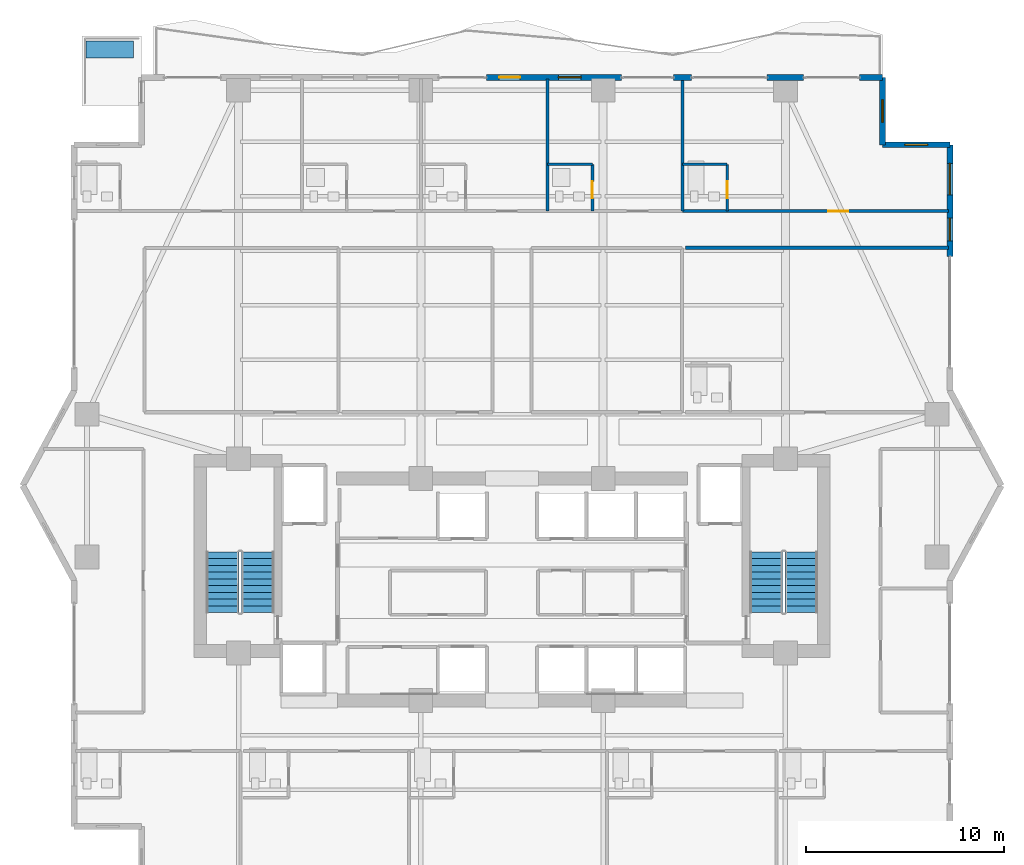
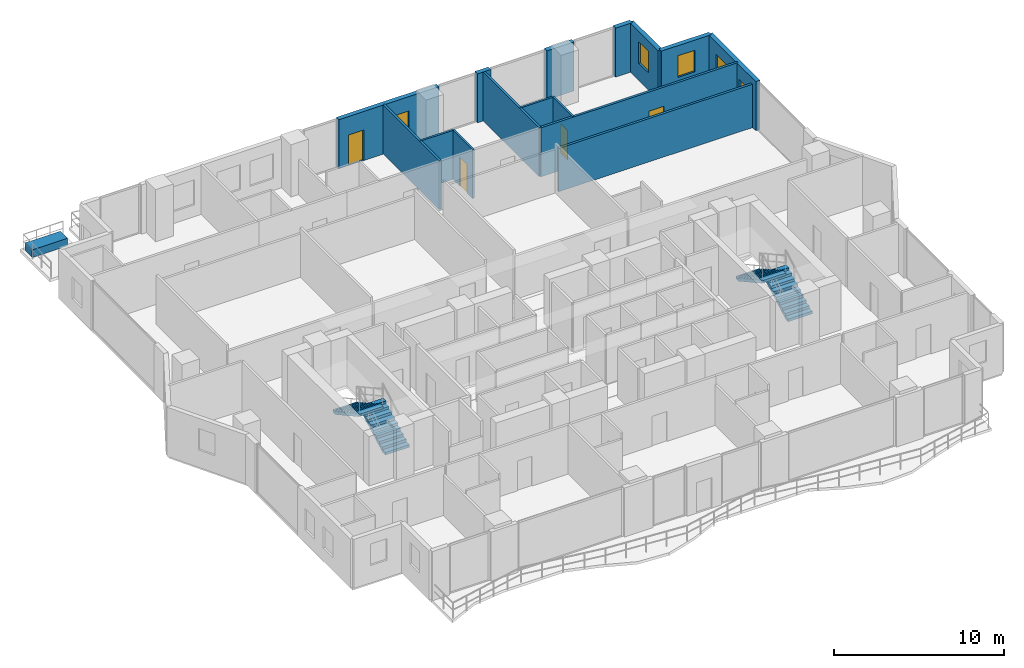
# One storey, part 28 of 32: 15 walls, 5 windows, 4 doors, 4 stair flights, 1 building element part, 9 openings, 2 elements without a shape of their own.
"""IFC4 building model written with IfcOpenShell, lengths in metres."""

from ifc_helpers import new_model, si_unit, direction, frame, frame_2d, origin, origin_2d, place, context, subcontext, project, spatial, polyline, rectangle, outline, extrude, material, layer, layer_set, type_object, element, fill, aggregate, save


model = new_model("IFC4")

# Units and contexts
model_context = context("Model", 3, precision=1e-05, world=origin(), true_north=direction((0.0, 1.0)))
body_context = subcontext(model_context, "Body", "Model", "MODEL_VIEW")
ifc_project = project(units=[si_unit("LENGTHUNIT", "METRE"), si_unit("AREAUNIT", "SQUARE_METRE"), si_unit("VOLUMEUNIT", "CUBIC_METRE"), si_unit("PLANEANGLEUNIT", "RADIAN"), si_unit("MASSUNIT", "GRAM", prefix="KILO")], contexts=[model_context])

# Site, building, storey
site_placement = place(None, origin())
site = spatial("IfcSite", under=ifc_project, at=site_placement, CompositionType="ELEMENT")
building_placement = place(site_placement, origin())
building = spatial("IfcBuilding", under=site, at=building_placement, Name="Zuhayl Quay Hotel", CompositionType="ELEMENT")
storey_placement = place(building_placement, frame((0.0, 0.0, 177.39990234375)))
storey = spatial("IfcBuildingStorey", under=building, at=storey_placement, Name="L44", CompositionType="ELEMENT", Elevation=177.39990234375)

# Wall, openings, door, window
ifc_material_1 = material(Name="Precast concrete C45/55", Category="concrete")
ifc_layer_1 = layer(ifc_material_1, 0.300048828125, Name="Precast concrete C45/55", Category="concrete")
ifc_layer_set_1 = layer_set([ifc_layer_1], Name="Precast concrete C45/55")
wall_type_1 = type_object("IfcWallType", Name="WL_EXT_300", PredefinedType="STANDARD", material=ifc_layer_set_1)
wall_1_placement = place(storey_placement, frame((-1.294921875, 33.60009765625, 0.0), z_axis=(0.0, 0.0, 1.0), x_axis=(1.0, 0.0, 0.0)))
wall_1 = element("IfcWall", 1, at=wall_1_placement, inside=storey, type_object=wall_type_1, Name="L44 Exterior Precast Wall ENV_L44_N_EW3", PredefinedType="STANDARD", context=body_context, shape_type="SweptSolid", body=[
    extrude(rectangle(XDim=6.81494140625, YDim=0.300048828125, at=frame_2d((3.407470703125, 0.0))), origin(), (0.0, 0.0, 1.0), 3.530029296875),
])
opening_1_placement = place(wall_1_placement, frame((0.64990234375, 0.0, 0.0)))
opening_1 = element("IfcOpeningElement", 2, at=opening_1_placement, cuts=wall_1, Name="Opening DG1", PredefinedType="OPENING", context=body_context, shape_type="SweptSolid", body=[
    extrude(rectangle(XDim=1.050048828125, YDim=2.199951171875, at=frame_2d((0.52490234375, 1.10009765625))), frame((0.0, 0.159912109375, 0.0), z_axis=(0.0, -1.0, 0.0), x_axis=(1.0, 0.0, 0.0)), (0.0, 0.0, 1.0), 0.320068359375),
])
opening_2_placement = place(wall_1_placement, frame((3.6298828125, 0.0, 0.949951171875)))
opening_2 = element("IfcOpeningElement", 3, at=opening_2_placement, cuts=wall_1, Name="Opening W01N", PredefinedType="OPENING", context=body_context, shape_type="SweptSolid", body=[
    extrude(rectangle(XDim=1.14990234375, YDim=1.550048828125, at=frame_2d((0.574951171875, 0.77490234375))), frame((0.0, 0.159912109375, 0.0), z_axis=(0.0, -1.0, 0.0), x_axis=(1.0, 0.0, 0.0)), (0.0, 0.0, 1.0), 0.320068359375),
])
ifc_material_2 = material(Name="Anodised Aluminium and Dark Solar Glass", Category="aluminium")
door_type_1 = type_object("IfcDoorType", Name="DR_EXT_TERR_1050", OperationType="NOTDEFINED", PredefinedType="DOOR", material=ifc_material_2)
door_1_placement = place(opening_1_placement, origin())
door_1 = element("IfcDoor", 4, at=door_1_placement, inside=storey, type_object=door_type_1, Name="L44 North Rippling Balcony Door", OperationType="SINGLE_SWING_LEFT", OverallHeight=2.199951171875, OverallWidth=1.050048828125, PredefinedType="DOOR", context=body_context, shape_type="SweptSolid", body=[
    extrude(rectangle(XDim=1.050048828125, YDim=2.199951171875, at=frame_2d((0.52490234375, 1.10009765625))), frame((0.0, 0.02490234375, 0.0), z_axis=(0.0, -1.0, 0.0), x_axis=(1.0, 0.0, 0.0)), (0.0, 0.0, 1.0), 0.050048828125),
])
fill(opening_1, door_1)
ifc_material_3 = material(Name="Dark Ceramic-Fritted Solar Glass", Category="glass")
window_type_1 = type_object("IfcWindowType", Name="WN_NOTCH_1350", PartitioningType="SINGLE_PANEL", PredefinedType="WINDOW", material=ifc_material_3)
window_1_placement = place(opening_2_placement, origin())
window_1 = element("IfcWindow", 5, at=window_1_placement, inside=storey, type_object=window_type_1, Name="L44 Operable Facade Window 3-1", OverallHeight=1.550048828125, OverallWidth=1.14990234375, PartitioningType="SINGLE_PANEL", PredefinedType="WINDOW", context=body_context, shape_type="SweptSolid", body=[
    extrude(rectangle(XDim=1.14990234375, YDim=1.550048828125, at=frame_2d((0.574951171875, 0.77490234375))), frame((0.0, 0.030029296875, 0.0), z_axis=(0.0, -1.0, 0.0), x_axis=(1.0, 0.0, 0.0)), (0.0, 0.0, 1.0), 0.06005859375),
])
fill(opening_2, window_1)

# Walls
wall_2_placement = place(storey_placement, frame((8.14990234375, 33.60009765625, 0.0), z_axis=(0.0, 0.0, 1.0), x_axis=(1.0, 0.0, 0.0)))
element("IfcWall", 6, at=wall_2_placement, inside=storey, type_object=wall_type_1, Name="L44 Exterior Precast Wall ENV_L44_N_EW4", PredefinedType="STANDARD", context=body_context, shape_type="SweptSolid", body=[
    extrude(rectangle(XDim=0.900146484375, YDim=0.300048828125, at=frame_2d((0.4501953125, 0.0))), origin(), (0.0, 0.0, 1.0), 3.530029296875),
])
wall_3_placement = place(storey_placement, frame((12.8798828125, 33.60009765625, 0.0), z_axis=(0.0, 0.0, 1.0), x_axis=(1.0, 0.0, 0.0)))
element("IfcWall", 7, at=wall_3_placement, inside=storey, type_object=wall_type_1, Name="L44 Exterior Precast Wall ENV_L44_N_EW5", PredefinedType="STANDARD", context=body_context, shape_type="SweptSolid", body=[
    extrude(rectangle(XDim=1.840087890625, YDim=0.300048828125, at=frame_2d((0.919921875, 0.0))), origin(), (0.0, 0.0, 1.0), 3.530029296875),
])
wall_4_placement = place(storey_placement, frame((17.550048828125, 33.60009765625, 0.0), z_axis=(0.0, 0.0, 1.0), x_axis=(1.0, 0.0, 0.0)))
element("IfcWall", 8, at=wall_4_placement, inside=storey, type_object=wall_type_1, Name="L44 Exterior Precast Wall ENV_L44_N_EW6", PredefinedType="STANDARD", context=body_context, shape_type="SweptSolid", body=[
    extrude(rectangle(XDim=1.14990234375, YDim=0.300048828125, at=frame_2d((0.574951171875, 0.0))), origin(), (0.0, 0.0, 1.0), 3.530029296875),
])

# Wall, opening, window
wall_5_placement = place(storey_placement, frame((18.699951171875, 33.60009765625, 0.0), z_axis=(0.0, 0.0, 1.0), x_axis=(0.0, -1.0, 0.0)))
wall_5 = element("IfcWall", 9, at=wall_5_placement, inside=storey, type_object=wall_type_1, Name="L44 Exterior Precast Wall ENV_L44_EW09", PredefinedType="STANDARD", context=body_context, shape_type="SweptSolid", body=[
    extrude(rectangle(XDim=3.400146484375, YDim=0.300048828125, at=frame_2d((1.7001953125, 0.0))), origin(), (0.0, 0.0, 1.0), 3.530029296875),
])
opening_3_placement = place(wall_5_placement, frame((1.125, 0.0, 1.25)))
opening_3 = element("IfcOpeningElement", 10, at=opening_3_placement, cuts=wall_5, Name="Opening W01N", PredefinedType="OPENING", context=body_context, shape_type="SweptSolid", body=[
    extrude(rectangle(XDim=1.14990234375, YDim=1.550048828125, at=frame_2d((0.574951171875, 0.77490234375))), frame((0.0, 0.159912109375, 0.0), z_axis=(0.0, -1.0, 0.0), x_axis=(1.0, 0.0, 0.0)), (0.0, 0.0, 1.0), 0.320068359375),
])
window_2_placement = place(opening_3_placement, origin())
window_2 = element("IfcWindow", 11, at=window_2_placement, inside=storey, type_object=window_type_1, Name="L44 Corner Notch Window 9", OverallHeight=1.550048828125, OverallWidth=1.14990234375, PartitioningType="SINGLE_PANEL", PredefinedType="WINDOW", context=body_context, shape_type="SweptSolid", body=[
    extrude(rectangle(XDim=1.14990234375, YDim=1.550048828125, at=frame_2d((0.574951171875, 0.77490234375))), frame((0.0, 0.030029296875, 0.0), z_axis=(0.0, -1.0, 0.0), x_axis=(1.0, 0.0, 0.0)), (0.0, 0.0, 1.0), 0.06005859375),
])
fill(opening_3, window_2)

wall_6_placement = place(storey_placement, frame((18.699951171875, 30.199951171875, 0.0), z_axis=(0.0, 0.0, 1.0), x_axis=(1.0, 0.0, 0.0)))
wall_6 = element("IfcWall", 12, at=wall_6_placement, inside=storey, type_object=wall_type_1, Name="L44 Exterior Precast Wall ENV_L44_EW10", PredefinedType="STANDARD", context=body_context, shape_type="SweptSolid", body=[
    extrude(rectangle(XDim=3.400146484375, YDim=0.300048828125, at=frame_2d((1.7001953125, 0.0))), origin(), (0.0, 0.0, 1.0), 3.530029296875),
])
opening_4_placement = place(wall_6_placement, frame((1.125, 0.0, 1.25)))
opening_4 = element("IfcOpeningElement", 13, at=opening_4_placement, cuts=wall_6, Name="Opening W01N", PredefinedType="OPENING", context=body_context, shape_type="SweptSolid", body=[
    extrude(rectangle(XDim=1.14990234375, YDim=1.550048828125, at=frame_2d((0.574951171875, 0.77490234375))), frame((0.0, 0.159912109375, 0.0), z_axis=(0.0, -1.0, 0.0), x_axis=(1.0, 0.0, 0.0)), (0.0, 0.0, 1.0), 0.320068359375),
])
window_3_placement = place(opening_4_placement, origin())
window_3 = element("IfcWindow", 14, at=window_3_placement, inside=storey, type_object=window_type_1, Name="L44 Corner Notch Window 10", OverallHeight=1.550048828125, OverallWidth=1.14990234375, PartitioningType="SINGLE_PANEL", PredefinedType="WINDOW", context=body_context, shape_type="SweptSolid", body=[
    extrude(rectangle(XDim=1.14990234375, YDim=1.550048828125, at=frame_2d((0.574951171875, 0.77490234375))), frame((0.0, 0.030029296875, 0.0), z_axis=(0.0, -1.0, 0.0), x_axis=(1.0, 0.0, 0.0)), (0.0, 0.0, 1.0), 0.06005859375),
])
fill(opening_4, window_3)

# Wall, openings, windows
wall_7_placement = place(storey_placement, frame((22.10009765625, 30.199951171875, 0.0), z_axis=(0.0, 0.0, 1.0), x_axis=(0.0, -1.0, 0.0)))
wall_7 = element("IfcWall", 15, at=wall_7_placement, inside=storey, type_object=wall_type_1, Name="L44 Exterior Precast Wall ENV_L44_E11_EW1", PredefinedType="STANDARD", context=body_context, shape_type="SweptSolid", body=[
    extrude(rectangle(XDim=5.64990234375, YDim=0.300048828125, at=frame_2d((2.824951171875, 0.0))), origin(), (0.0, 0.0, 1.0), 3.530029296875),
])
opening_5_placement = place(wall_7_placement, frame((0.93505859375, 0.0, 0.85009765625)))
opening_5 = element("IfcOpeningElement", 16, at=opening_5_placement, cuts=wall_7, Name="Opening W01", PredefinedType="OPENING", context=body_context, shape_type="SweptSolid", body=[
    extrude(rectangle(XDim=1.60009765625, YDim=1.800048828125, at=frame_2d((0.800048828125, 0.89990234375))), frame((0.0, 0.159912109375, 0.0), z_axis=(0.0, -1.0, 0.0), x_axis=(1.0, 0.0, 0.0)), (0.0, 0.0, 1.0), 0.320068359375),
])
opening_6_placement = place(wall_7_placement, frame((3.699951171875, 0.0, 0.949951171875)))
opening_6 = element("IfcOpeningElement", 17, at=opening_6_placement, cuts=wall_7, Name="Opening W01N", PredefinedType="OPENING", context=body_context, shape_type="SweptSolid", body=[
    extrude(rectangle(XDim=1.14990234375, YDim=1.550048828125, at=frame_2d((0.574951171875, 0.77490234375))), frame((0.0, 0.159912109375, 0.0), z_axis=(0.0, -1.0, 0.0), x_axis=(1.0, 0.0, 0.0)), (0.0, 0.0, 1.0), 0.320068359375),
])
window_4_placement = place(opening_6_placement, origin())
window_4 = element("IfcWindow", 18, at=window_4_placement, inside=storey, type_object=window_type_1, Name="L44 Operable Facade Window 1-2", OverallHeight=1.550048828125, OverallWidth=1.14990234375, PartitioningType="SINGLE_PANEL", PredefinedType="WINDOW", context=body_context, shape_type="SweptSolid", body=[
    extrude(rectangle(XDim=1.14990234375, YDim=1.550048828125, at=frame_2d((0.574951171875, 0.77490234375))), frame((0.0, 0.030029296875, 0.0), z_axis=(0.0, -1.0, 0.0), x_axis=(1.0, 0.0, 0.0)), (0.0, 0.0, 1.0), 0.06005859375),
])
fill(opening_6, window_4)
window_type_2 = type_object("IfcWindowType", Name="WN_OPERABLE_1600", PartitioningType="DOUBLE_PANEL_VERTICAL", PredefinedType="WINDOW", material=ifc_material_3)
window_5_placement = place(opening_5_placement, origin())
window_5 = element("IfcWindow", 19, at=window_5_placement, inside=storey, type_object=window_type_2, Name="L44 Operable Facade Window 1-1", OverallHeight=1.800048828125, OverallWidth=1.60009765625, PartitioningType="SINGLE_PANEL", PredefinedType="WINDOW", context=body_context, shape_type="SweptSolid", body=[
    extrude(rectangle(XDim=1.60009765625, YDim=1.800048828125, at=frame_2d((0.800048828125, 0.89990234375))), frame((0.0, 0.030029296875, 0.0), z_axis=(0.0, -1.0, 0.0), x_axis=(1.0, 0.0, 0.0)), (0.0, 0.0, 1.0), 0.06005859375),
])
fill(opening_5, window_5)

# Walls
ifc_material_4 = material(Name="Acoustic Gypsum Partition STC-58")
ifc_layer_2 = layer(ifc_material_4, 0.14990234375, Name="Acoustic Gypsum Partition STC-58")
ifc_layer_set_2 = layer_set([ifc_layer_2], Name="Acoustic Gypsum Partition STC-58")
wall_type_2 = type_object("IfcWallType", Name="WL_PART_150", PredefinedType="PARTITIONING", material=ifc_layer_set_2)
for number, where, z_axis, x_axis, name in (
    (20, (1.800048828125, 26.85009765625, 0.0), (0.0, 0.0, 1.0), (0.0, 1.0, 0.0), "L44 Partition IW_L44_NU03_E"),
    (21, (8.60009765625, 26.85009765625, 0.0), (0.0, 0.0, 1.0), (0.0, 1.0, 0.0), "L44 Partition IW_L44_NU04_E"),
):
    element("IfcWall", number, at=place(storey_placement, frame(where, z_axis=z_axis, x_axis=x_axis)), inside=storey, type_object=wall_type_2, Name=name, PredefinedType="PARTITIONING", context=body_context, shape_type="SweptSolid", body=[
        extrude(rectangle(XDim=6.669921875, YDim=0.14990234375, at=frame_2d((3.3349609375, 0.0))), origin(), (0.0, 0.0, 1.0), 3.530029296875),
    ])

# Wall, opening, door
ifc_layer_3 = layer(ifc_material_4, 0.159912109375, Name="Acoustic Gypsum Partition STC-58")
ifc_layer_set_3 = layer_set([ifc_layer_3], Name="Acoustic Gypsum Partition STC-58")
wall_type_3 = type_object("IfcWallType", Name="WL_PART_CORR_160", PredefinedType="PARTITIONING", material=ifc_layer_set_3)
wall_8_placement = place(storey_placement, frame((8.60009765625, 26.85009765625, 0.0), z_axis=(0.0, 0.0, 1.0), x_axis=(1.0, 0.0, 0.0)))
wall_8 = element("IfcWall", 22, at=wall_8_placement, inside=storey, type_object=wall_type_3, Name="L44 Partition IW_L44_NU05_COR", PredefinedType="PARTITIONING", context=body_context, shape_type="SweptSolid", body=[
    extrude(rectangle(XDim=13.43994140625, YDim=0.159912109375, at=frame_2d((6.719970703125, 0.0))), origin(), (0.0, 0.0, 1.0), 3.530029296875),
])
opening_7_placement = place(wall_8_placement, frame((7.3701171875, 0.0, 0.0)))
opening_7 = element("IfcOpeningElement", 23, at=opening_7_placement, cuts=wall_8, Name="Opening D03L", PredefinedType="OPENING", context=body_context, shape_type="SweptSolid", body=[
    extrude(rectangle(XDim=1.0, YDim=2.14990234375, at=frame_2d((0.5, 1.074951171875))), frame((0.0, 0.08984375, 0.0), z_axis=(0.0, -1.0, 0.0), x_axis=(1.0, 0.0, 0.0)), (0.0, 0.0, 1.0), 0.179931640625),
])
ifc_material_5 = material(Name="Solid Walnut Acoustic Fire Door")
door_type_2 = type_object("IfcDoorType", Name="DR_SUITE_1000", OperationType="NOTDEFINED", PredefinedType="DOOR", material=ifc_material_5)
door_2_placement = place(opening_7_placement, origin())
door_2 = element("IfcDoor", 24, at=door_2_placement, inside=storey, type_object=door_type_2, Name="L44 Panoramic Gulf Suite L44-05 Entrance Door", OperationType="SINGLE_SWING_LEFT", OverallHeight=2.14990234375, OverallWidth=1.0, PredefinedType="DOOR", context=body_context, shape_type="SweptSolid", body=[
    extrude(rectangle(XDim=1.0, YDim=2.14990234375, at=frame_2d((0.5, 1.074951171875))), frame((0.0, 0.02490234375, 0.0), z_axis=(0.0, -1.0, 0.0), x_axis=(1.0, 0.0, 0.0)), (0.0, 0.0, 1.0), 0.050048828125),
])
fill(opening_7, door_2)

# Wall
wall_9_placement = place(storey_placement, frame((8.75, 25.0, 0.0), z_axis=(0.0, 0.0, 1.0), x_axis=(1.0, 0.0, 0.0)))
element("IfcWall", 25, at=wall_9_placement, inside=storey, type_object=wall_type_3, Name="L44 Partition IW_L44_MU01_BK", PredefinedType="PARTITIONING", context=body_context, shape_type="SweptSolid", body=[
    extrude(rectangle(XDim=13.2900390625, YDim=0.159912109375, at=frame_2d((6.64501953125, 0.0))), origin(), (0.0, 0.0, 1.0), 3.1240234375),
])

# Wall, opening, door
ifc_material_6 = material(Name="Moisture-Resistant Sanitarychase Gypsum")
ifc_layer_4 = layer(ifc_material_6, 0.135009765625, Name="Moisture-Resistant Sanitarychase Gypsum")
ifc_layer_set_4 = layer_set([ifc_layer_4], Name="Moisture-Resistant Sanitarychase Gypsum")
wall_type_4 = type_object("IfcWallType", Name="WL_PART_PLUMB_150", PredefinedType="PLUMBINGWALL", material=ifc_layer_set_4)
wall_10_placement = place(storey_placement, frame((4.06005859375, 26.85009765625, 0.0), z_axis=(0.0, 0.0, 1.0), x_axis=(0.0, 1.0, 0.0)))
wall_10 = element("IfcWall", 26, at=wall_10_placement, inside=storey, type_object=wall_type_4, Name="L44 Partition IW_L44_NU04_BE", PredefinedType="PLUMBINGWALL", context=body_context, shape_type="SweptSolid", body=[
    extrude(rectangle(XDim=2.35986328125, YDim=0.135009765625, at=frame_2d((1.179931640625, 0.0))), origin(), (0.0, 0.0, 1.0), 3.530029296875),
])
opening_8_placement = place(wall_10_placement, frame((0.64990234375, 0.0, 0.0)))
opening_8 = element("IfcOpeningElement", 27, at=opening_8_placement, cuts=wall_10, Name="Opening D04", PredefinedType="OPENING", context=body_context, shape_type="SweptSolid", body=[
    extrude(rectangle(XDim=0.85009765625, YDim=2.10009765625, at=frame_2d((0.425048828125, 1.050048828125))), frame((0.0, 0.077392578125, 0.0), z_axis=(0.0, -1.0, 0.0), x_axis=(1.0, 0.0, 0.0)), (0.0, 0.0, 1.0), 0.155029296875),
])
ifc_material_7 = material(Name="Moisture-Resistant Walnut Veneer")
door_type_3 = type_object("IfcDoorType", Name="DR_BATH_850", OperationType="NOTDEFINED", PredefinedType="DOOR", material=ifc_material_7)
door_3_placement = place(opening_8_placement, origin())
door_3 = element("IfcDoor", 28, at=door_3_placement, inside=storey, type_object=door_type_3, Name="L44 Panoramic Gulf Suite L44-04 En-Suite Door", OperationType="SINGLE_SWING_RIGHT", OverallHeight=2.10009765625, OverallWidth=0.85009765625, PredefinedType="DOOR", context=body_context, shape_type="SweptSolid", body=[
    extrude(rectangle(XDim=0.85009765625, YDim=2.10009765625, at=frame_2d((0.425048828125, 1.050048828125))), frame((0.0, 0.02490234375, 0.0), z_axis=(0.0, -1.0, 0.0), x_axis=(1.0, 0.0, 0.0)), (0.0, 0.0, 1.0), 0.050048828125),
])
fill(opening_8, door_3)

wall_11_placement = place(storey_placement, frame((10.860107421875, 26.85009765625, 0.0), z_axis=(0.0, 0.0, 1.0), x_axis=(0.0, 1.0, 0.0)))
wall_11 = element("IfcWall", 29, at=wall_11_placement, inside=storey, type_object=wall_type_4, Name="L44 Partition IW_L44_NU05_BE", PredefinedType="PLUMBINGWALL", context=body_context, shape_type="SweptSolid", body=[
    extrude(rectangle(XDim=2.35986328125, YDim=0.135009765625, at=frame_2d((1.179931640625, 0.0))), origin(), (0.0, 0.0, 1.0), 3.530029296875),
])
opening_9_placement = place(wall_11_placement, frame((0.64990234375, 0.0, 0.0)))
opening_9 = element("IfcOpeningElement", 30, at=opening_9_placement, cuts=wall_11, Name="Opening D04", PredefinedType="OPENING", context=body_context, shape_type="SweptSolid", body=[
    extrude(rectangle(XDim=0.85009765625, YDim=2.10009765625, at=frame_2d((0.425048828125, 1.050048828125))), frame((0.0, 0.077392578125, 0.0), z_axis=(0.0, -1.0, 0.0), x_axis=(1.0, 0.0, 0.0)), (0.0, 0.0, 1.0), 0.155029296875),
])
door_4_placement = place(opening_9_placement, origin())
door_4 = element("IfcDoor", 31, at=door_4_placement, inside=storey, type_object=door_type_3, Name="L44 Panoramic Gulf Suite L44-05 En-Suite Door", OperationType="SINGLE_SWING_RIGHT", OverallHeight=2.10009765625, OverallWidth=0.85009765625, PredefinedType="DOOR", context=body_context, shape_type="SweptSolid", body=[
    extrude(rectangle(XDim=0.85009765625, YDim=2.10009765625, at=frame_2d((0.425048828125, 1.050048828125))), frame((0.0, 0.02490234375, 0.0), z_axis=(0.0, -1.0, 0.0), x_axis=(1.0, 0.0, 0.0)), (0.0, 0.0, 1.0), 0.050048828125),
])
fill(opening_9, door_4)

# Walls
for number, where, z_axis, x_axis, name in (
    (32, (1.800048828125, 29.2099609375, 0.0), (0.0, 0.0, 1.0), (1.0, 0.0, 0.0), "L44 Partition IW_L44_NU04_BN"),
    (33, (8.60009765625, 29.2099609375, 0.0), (0.0, 0.0, 1.0), (1.0, 0.0, 0.0), "L44 Partition IW_L44_NU05_BN"),
):
    element("IfcWall", number, at=place(storey_placement, frame(where, z_axis=z_axis, x_axis=x_axis)), inside=storey, type_object=wall_type_4, Name=name, PredefinedType="PLUMBINGWALL", context=body_context, shape_type="SweptSolid", body=[
        extrude(rectangle(XDim=2.260009765625, YDim=0.135009765625, at=frame_2d((1.1298828125, 0.0))), origin(), (0.0, 0.0, 1.0), 3.530029296875),
    ])

# Stair, stair flights
ifc_material_8 = material(Name="Concrete C45/55", Category="concrete")
stair_type = type_object("IfcStairType", Name="ST_DOGLEG_TOWER", PredefinedType="HALF_TURN_STAIR", material=ifc_material_8)
stair_1_placement = place(storey_placement, origin())
stair_1 = element("IfcStair", 34, at=stair_1_placement, inside=storey, type_object=stair_type, Name="L44 Smokeproof Exit Stair ST1", PredefinedType="HALF_TURN_STAIR")
ifc_layer_5 = layer(ifc_material_8, 0.159912109375, Name="Concrete C45/55", Category="concrete")
ifc_layer_set_5 = layer_set([ifc_layer_5], Name="Concrete C45/55")
stair_flight_type = type_object("IfcStairFlightType", Name="SF_CONC_164", PredefinedType="STRAIGHT", material=ifc_layer_set_5)
stair_flight_1_placement = place(storey_placement, frame((-12.820068359375, 6.590087890625, 0.0), z_axis=(0.0, 0.0, 1.0), x_axis=(0.0, 1.0, 0.0)))
stair_flight_1 = element("IfcStairFlight", 35, at=stair_flight_1_placement, type_object=stair_flight_type, Name="ST1 flight 1", NumberOfRisers=10, NumberOfTreads=9, PredefinedType="STRAIGHT", RiserHeight=0.1875, TreadLength=0.34, context=body_context, shape_type="SweptSolid", body=[
    extrude(outline(polyline([(0.0, 0.0), (0.0, 0.1875), (0.340087890625, 0.1875), (0.340087890625, 0.375), (0.679931640625, 0.375), (0.679931640625, 0.5625), (1.02001953125, 0.5625), (1.02001953125, 0.75), (1.360107421875, 0.75), (1.360107421875, 0.9375), (1.699951171875, 0.9375), (1.699951171875, 1.125), (2.0400390625, 1.125), (2.0400390625, 1.3125), (2.3798828125, 1.3125), (2.3798828125, 1.5), (2.719970703125, 1.5), (2.719970703125, 1.6875), (3.06005859375, 1.6875), (3.06005859375, 1.875), (3.06005859375, 1.516357421875), (0.310302734375, 0.0), (0.0, 0.0)])), frame((0.0, 0.81982421875, 0.0), z_axis=(0.0, -1.0, 0.0), x_axis=(1.0, 0.0, 0.0)), (0.0, 0.0, 1.0), 1.639892578125),
])
stair_flight_2_placement = place(storey_placement, frame((-14.610107421875, 9.64990234375, 1.875), z_axis=(0.0, 0.0, 1.0), x_axis=(0.0, -1.0, 0.0)))
stair_flight_2 = element("IfcStairFlight", 36, at=stair_flight_2_placement, type_object=stair_flight_type, Name="ST1 flight 2", NumberOfRisers=10, NumberOfTreads=9, PredefinedType="STRAIGHT", RiserHeight=0.1875, TreadLength=0.34, context=body_context, shape_type="SweptSolid", body=[
    extrude(outline(polyline([(0.0, 0.0), (0.0, 0.1875), (0.340087890625, 0.1875), (0.340087890625, 0.375), (0.679931640625, 0.375), (0.679931640625, 0.5625), (1.02001953125, 0.5625), (1.02001953125, 0.75), (1.360107421875, 0.75), (1.360107421875, 0.9375), (1.699951171875, 0.9375), (1.699951171875, 1.125), (2.0400390625, 1.125), (2.0400390625, 1.3125), (2.3798828125, 1.3125), (2.3798828125, 1.5), (2.719970703125, 1.5), (2.719970703125, 1.6875), (3.06005859375, 1.6875), (3.06005859375, 1.875), (3.06005859375, 1.516357421875), (0.310302734375, 0.0), (0.0, 0.0)])), frame((0.0, 0.81982421875, 0.0), z_axis=(0.0, -1.0, 0.0), x_axis=(1.0, 0.0, 0.0)), (0.0, 0.0, 1.0), 1.639892578125),
])
aggregate(stair_1, [stair_flight_1, stair_flight_2])

stair_2_placement = place(storey_placement, origin())
stair_2 = element("IfcStair", 37, at=stair_2_placement, inside=storey, type_object=stair_type, Name="L44 Smokeproof Exit Stair ST2", PredefinedType="HALF_TURN_STAIR")
stair_flight_3_placement = place(storey_placement, frame((14.610107421875, 6.590087890625, 0.0), z_axis=(0.0, 0.0, 1.0), x_axis=(0.0, 1.0, 0.0)))
stair_flight_3 = element("IfcStairFlight", 38, at=stair_flight_3_placement, type_object=stair_flight_type, Name="ST2 flight 1", NumberOfRisers=10, NumberOfTreads=9, PredefinedType="STRAIGHT", RiserHeight=0.1875, TreadLength=0.34, context=body_context, shape_type="SweptSolid", body=[
    extrude(outline(polyline([(0.0, 0.0), (0.0, 0.1875), (0.340087890625, 0.1875), (0.340087890625, 0.375), (0.679931640625, 0.375), (0.679931640625, 0.5625), (1.02001953125, 0.5625), (1.02001953125, 0.75), (1.360107421875, 0.75), (1.360107421875, 0.9375), (1.699951171875, 0.9375), (1.699951171875, 1.125), (2.0400390625, 1.125), (2.0400390625, 1.3125), (2.3798828125, 1.3125), (2.3798828125, 1.5), (2.719970703125, 1.5), (2.719970703125, 1.6875), (3.06005859375, 1.6875), (3.06005859375, 1.875), (3.06005859375, 1.516357421875), (0.310302734375, 0.0), (0.0, 0.0)])), frame((0.0, 0.81982421875, 0.0), z_axis=(0.0, -1.0, 0.0), x_axis=(1.0, 0.0, 0.0)), (0.0, 0.0, 1.0), 1.639892578125),
])
stair_flight_4_placement = place(storey_placement, frame((12.820068359375, 9.64990234375, 1.875), z_axis=(0.0, 0.0, 1.0), x_axis=(0.0, -1.0, 0.0)))
stair_flight_4 = element("IfcStairFlight", 39, at=stair_flight_4_placement, type_object=stair_flight_type, Name="ST2 flight 2", NumberOfRisers=10, NumberOfTreads=9, PredefinedType="STRAIGHT", RiserHeight=0.1875, TreadLength=0.34, context=body_context, shape_type="SweptSolid", body=[
    extrude(outline(polyline([(0.0, 0.0), (0.0, 0.1875), (0.340087890625, 0.1875), (0.340087890625, 0.375), (0.679931640625, 0.375), (0.679931640625, 0.5625), (1.02001953125, 0.5625), (1.02001953125, 0.75), (1.360107421875, 0.75), (1.360107421875, 0.9375), (1.699951171875, 0.9375), (1.699951171875, 1.125), (2.0400390625, 1.125), (2.0400390625, 1.3125), (2.3798828125, 1.3125), (2.3798828125, 1.5), (2.719970703125, 1.5), (2.719970703125, 1.6875), (3.06005859375, 1.6875), (3.06005859375, 1.875), (3.06005859375, 1.516357421875), (0.310302734375, 0.0), (0.0, 0.0)])), frame((0.0, 0.81982421875, 0.0), z_axis=(0.0, -1.0, 0.0), x_axis=(1.0, 0.0, 0.0)), (0.0, 0.0, 1.0), 1.639892578125),
])
aggregate(stair_2, [stair_flight_3, stair_flight_4])

# Building element part
ifc_layer_6 = layer(ifc_material_1, 0.550048828125, Name="Precast concrete C45/55", Category="concrete")
ifc_layer_set_6 = layer_set([ifc_layer_6], Name="Precast concrete C45/55")
building_element_part_type = type_object("IfcBuildingElementPartType", Name="PT_PLANTER_KERB", PredefinedType="PRECASTPANEL", material=ifc_layer_set_6)
building_element_part_placement = place(storey_placement, frame((-20.31005859375, 35.010009765625, 0.0), z_axis=(0.0, 0.0, 1.0), x_axis=(1.0, 0.0, 0.0)))
element("IfcBuildingElementPart", 40, at=building_element_part_placement, inside=storey, type_object=building_element_part_type, Name="L44 Spiral Sky-Terrace Planter Box NW", PredefinedType="PRECASTPANEL", context=body_context, shape_type="SweptSolid", body=[
    extrude(rectangle(XDim=2.39990234375, YDim=0.85009765625, at=origin_2d()), origin(), (0.0, 0.0, 1.0), 0.550048828125),
])

save(model, "model.ifc")
